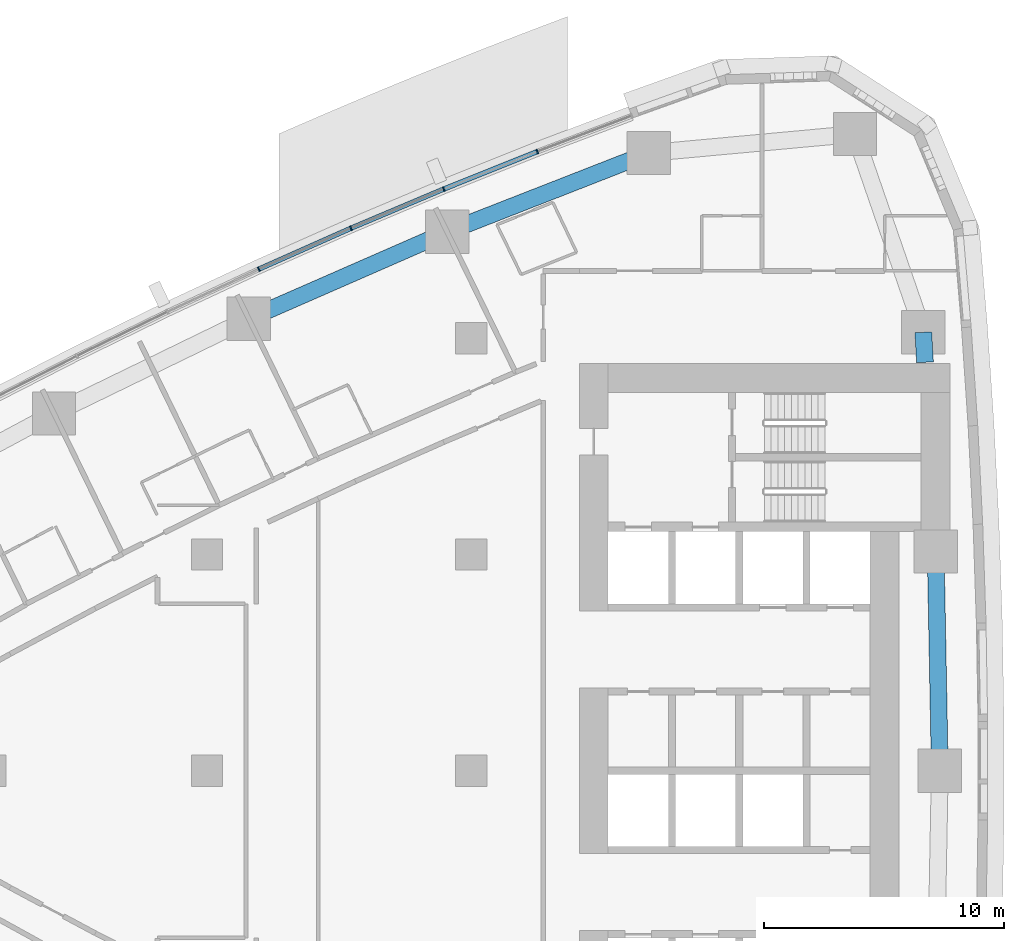
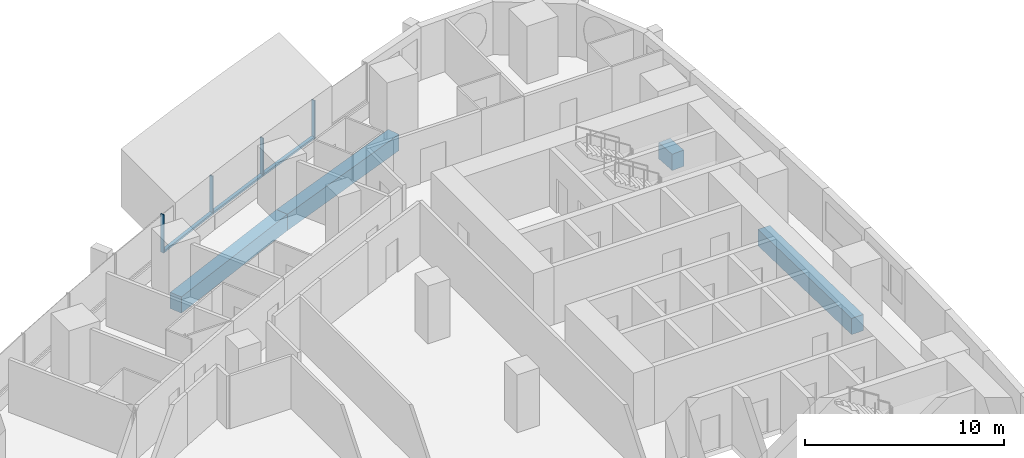
# One storey, part 6 of 19: 7 members, 4 beams, 2 elements without a shape of their own.
"""IFC4 building model written with IfcOpenShell, lengths in metres."""

import ifcopenshell
import ifcopenshell.guid

model = None  # the IFC model being written
_history = None  # IfcOwnerHistory: only IFC2X3 demands one
_inside = {}  # id of a spatial element -> (the spatial element, [elements in it])
_under = {}  # id of a project, library or spatial element -> (it, [spatial elements below it])
_declared = {}  # id of a project -> (the project, [libraries it declares])
_typed = {}  # id of a type object -> (the type object, [elements of that type])
_made_of = {}  # id of a material, layer set ... -> (it, [elements and type objects made of it])


def new_model(schema):
    """Start an empty IFC model of exactly this schema.

    Asked for "IFC4X3", IfcOpenShell would pick the latest addendum, in which some entities
    have other attributes; the version numbers below select the first issue.
    IFC2X3 requires an IfcOwnerHistory on every rooted entity: one is made here for all.
    """
    global model, _history
    if schema == "IFC4X3":
        model = ifcopenshell.file(schema_version=(4, 3, 0, 0))
    else:
        model = ifcopenshell.file(schema=schema)
    _inside.clear()
    _under.clear()
    _declared.clear()
    _typed.clear()
    _made_of.clear()
    _history = None
    if model.schema == "IFC2X3":
        org = make("IfcOrganization", Name="unknown")
        user = make(
            "IfcPersonAndOrganization",
            ThePerson=make("IfcPerson", FamilyName="unknown"),
            TheOrganization=org,
        )
        app = make(
            "IfcApplication",
            ApplicationDeveloper=org,
            Version="unknown",
            ApplicationFullName="unknown",
            ApplicationIdentifier="unknown",
        )
        _history = make(
            "IfcOwnerHistory",
            OwningUser=user,
            OwningApplication=app,
            ChangeAction="ADDED",
            CreationDate=0,
        )
    return model


def make(cls, **values):
    """One entity of the class cls with the attributes given. An attribute that is None is left unset."""
    return model.create_entity(
        cls, **{name: value for name, value in values.items() if value is not None}
    )


def rooted(cls, **values):
    """An entity with a GlobalId (a new one), such as an element, a storey or a relation."""
    return make(cls, GlobalId=ifcopenshell.guid.new(), OwnerHistory=_history, **values)


def si_unit(unit_type, name, prefix=None):
    """IfcSIUnit, for example si_unit("LENGTHUNIT", "METRE", prefix="MILLI")."""
    return make("IfcSIUnit", UnitType=unit_type, Prefix=prefix, Name=name)


def assignment(units):
    """IfcUnitAssignment: the units of a project."""
    return None if units is None else make("IfcUnitAssignment", Units=units)


def point(xyz):
    """IfcCartesianPoint."""
    return None if xyz is None else make("IfcCartesianPoint", Coordinates=xyz)


def direction(xyz):
    """IfcDirection."""
    return None if xyz is None else make("IfcDirection", DirectionRatios=xyz)


def frame(location, z_axis=None, x_axis=None):
    """IfcAxis2Placement3D, a coordinate frame: its origin and axes. An axis left out is left unset."""
    return make(
        "IfcAxis2Placement3D",
        Location=point(location),
        Axis=direction(z_axis),
        RefDirection=direction(x_axis),
    )


def frame_2d(location, x_axis=None):
    """IfcAxis2Placement2D, a coordinate frame in the plane: its origin and x axis."""
    return make(
        "IfcAxis2Placement2D", Location=point(location), RefDirection=direction(x_axis)
    )


def origin():
    """The frame at (0, 0, 0) with its axes left unset."""
    return frame((0.0, 0.0, 0.0))


def origin_2d():
    """The frame at (0, 0) in the plane with its x axis left unset."""
    return frame_2d((0.0, 0.0))


def place(relative_to, where):
    """IfcLocalPlacement: puts the frame where relative to a parent placement (None: the world)."""
    return make(
        "IfcLocalPlacement", PlacementRelTo=relative_to, RelativePlacement=where
    )


def context(
    kind, dimensions, precision=None, world=None, true_north=None, identifier=None
):
    """IfcGeometricRepresentationContext, for example the 3D "Model" context."""
    return make(
        "IfcGeometricRepresentationContext",
        ContextIdentifier=identifier,
        ContextType=kind,
        CoordinateSpaceDimension=dimensions,
        Precision=precision,
        WorldCoordinateSystem=world,
        TrueNorth=true_north,
    )


def subcontext(parent, identifier, kind, view, scale=None):
    """IfcGeometricRepresentationSubContext, for example "Body" below "Model"."""
    return make(
        "IfcGeometricRepresentationSubContext",
        ContextIdentifier=identifier,
        ContextType=kind,
        ParentContext=parent,
        TargetScale=scale,
        TargetView=view,
    )


def project(units=None, contexts=None):
    """IfcProject with its units and contexts."""
    return rooted(
        "IfcProject",
        Name="project",
        RepresentationContexts=contexts,
        UnitsInContext=assignment(units),
    )


def spatial(cls, under=None, at=None, **own):
    """A site, building, storey or space (cls), placed at a placement, below another one or the project."""
    s = rooted(cls, ObjectPlacement=at, **own)
    if under is not None:
        _under.setdefault(under.id(), (under, []))[1].append(s)
    return s


def profile(cls, at=None, kind="AREA", **sizes):
    """A parametric profile (cls). Its sizes go by their IFC names, for example OverallWidth=200.0."""
    return make(cls, ProfileType=kind, Position=at, **sizes)


def rectangle(**sizes):
    """IfcRectangleProfileDef."""
    return profile("IfcRectangleProfileDef", **sizes)


def extrude(swept, where, along, depth):
    """IfcExtrudedAreaSolid: the profile swept, set in the frame where, extruded along a direction by depth."""
    return make(
        "IfcExtrudedAreaSolid",
        SweptArea=swept,
        Position=where,
        ExtrudedDirection=direction(along),
        Depth=depth,
    )


def shape(context_of_items, identifier, shape_type, items):
    """IfcShapeRepresentation: the items that make up one representation, for example the "Body"."""
    return make(
        "IfcShapeRepresentation",
        ContextOfItems=context_of_items,
        RepresentationIdentifier=identifier,
        RepresentationType=shape_type,
        Items=items,
    )


def material(Name=None, Category=None):
    """IfcMaterial."""
    return make("IfcMaterial", Name=Name, Category=Category)


def layer(
    of_material, thickness, ventilated=None, Name=None, Category=None, Priority=None
):
    """IfcMaterialLayer: one layer of a wall or slab, of a material (None: an air gap)."""
    return make(
        "IfcMaterialLayer",
        Material=of_material,
        LayerThickness=thickness,
        IsVentilated=ventilated,
        Name=Name,
        Category=Category,
        Priority=Priority,
    )


def layer_set(layers, Name=None):
    """IfcMaterialLayerSet."""
    return make("IfcMaterialLayerSet", MaterialLayers=layers, LayerSetName=Name)


def material_profile(
    of_material, cross_section, Name=None, Category=None, Priority=None
):
    """IfcMaterialProfile: a cross section and its material."""
    return make(
        "IfcMaterialProfile",
        Name=Name,
        Material=of_material,
        Profile=cross_section,
        Priority=Priority,
        Category=Category,
    )


def profile_set(profiles, Name=None, composite=None):
    """IfcMaterialProfileSet."""
    return make(
        "IfcMaterialProfileSet",
        Name=Name,
        MaterialProfiles=profiles,
        CompositeProfile=composite,
    )


def made_of(thing, what):
    """Note that an element or type object is made of a material, layer set ...; save() writes the relation."""
    if what is not None:
        _made_of.setdefault(what.id(), (what, []))[1].append(thing)
    return thing


def type_object(cls, material=None, **own):
    """A type object (cls), such as IfcWallType, which elements share."""
    return made_of(rooted(cls, **own), material)


def element(
    cls,
    number,
    at=None,
    inside=None,
    cuts=None,
    type_object=None,
    material=None,
    context=None,
    identifier="Body",
    shape_type=None,
    held_by="IfcProductDefinitionShape",
    body=None,
    shapes=None,
    **own,
):
    """One element of the class cls, such as IfcWall. Its Tag is "e" and its number.

    at: its placement. inside: the storey or other place that contains it. cuts: it is an
    opening in that element (IfcRelVoidsElement). A single representation is given by context,
    identifier, shape_type and body (its items); several are given by shapes. held_by: the class
    of the entity that holds the representations. save() writes the other relations.
    """
    e = rooted(cls, Tag="e%d" % number, ObjectPlacement=at, **own)
    if body is not None:
        shapes = [shape(context, identifier, shape_type, body)]
    if shapes is not None:
        e.Representation = make(held_by, Representations=shapes)
    if inside is not None:
        _inside.setdefault(inside.id(), (inside, []))[1].append(e)
    if cuts is not None:
        rooted(
            "IfcRelVoidsElement", RelatingBuildingElement=cuts, RelatedOpeningElement=e
        )
    if type_object is not None:
        _typed.setdefault(type_object.id(), (type_object, []))[1].append(e)
    return made_of(e, material)


def aggregate(whole, parts):
    """IfcRelAggregates: a whole, such as a stair, and the parts it consists of."""
    return rooted("IfcRelAggregates", RelatingObject=whole, RelatedObjects=parts)


def save(model, path):
    """Write the relations noted so far, then the file.

    IfcRelAggregates (storeys below a building ...), IfcRelContainedInSpatialStructure (elements
    in a storey), IfcRelDefinesByType, IfcRelAssociatesMaterial and IfcRelDeclares: one each for
    every whole, place, type object, material and project.
    """
    for whole, parts in _under.values():
        aggregate(whole, parts)
    for where, things in _inside.values():
        rooted(
            "IfcRelContainedInSpatialStructure",
            RelatedElements=things,
            RelatingStructure=where,
        )
    for kind, things in _typed.values():
        rooted("IfcRelDefinesByType", RelatedObjects=things, RelatingType=kind)
    for what, things in _made_of.values():
        rooted("IfcRelAssociatesMaterial", RelatedObjects=things, RelatingMaterial=what)
    for by, libraries in _declared.values():
        rooted("IfcRelDeclares", RelatingContext=by, RelatedDefinitions=libraries)
    model.write(path)


model = new_model("IFC4")

# Units and contexts
model_context = context("Model", 3, precision=1e-05, world=origin(), true_north=direction((0.0, 1.0)))
body_context = subcontext(model_context, "Body", "Model", "MODEL_VIEW")
ifc_project = project(units=[si_unit("LENGTHUNIT", "METRE"), si_unit("AREAUNIT", "SQUARE_METRE"), si_unit("VOLUMEUNIT", "CUBIC_METRE"), si_unit("PLANEANGLEUNIT", "RADIAN"), si_unit("MASSUNIT", "GRAM", prefix="KILO")], contexts=[model_context])

# Site, building, storey
site_placement = place(None, origin())
site = spatial("IfcSite", under=ifc_project, at=site_placement, CompositionType="ELEMENT")
building_placement = place(site_placement, origin())
building = spatial("IfcBuilding", under=site, at=building_placement, Name="Ostrand Prow Hotel Tower", CompositionType="ELEMENT")
storey_placement = place(building_placement, frame((0.0, 0.0, 39.60009765625)))
storey = spatial("IfcBuildingStorey", under=building, at=storey_placement, Name="L07", CompositionType="ELEMENT", Elevation=39.60009765625)

# Beams
ifc_material_1 = material(Name="Concrete C80/95", Category="concrete")
ifc_material_profile_1 = material_profile(ifc_material_1, rectangle(XDim=0.699951171875, YDim=1.0, at=origin_2d()), Name="RC 700x1000")
ifc_profile_set_1 = profile_set([ifc_material_profile_1], Name="Concrete C80/95")
beam_type = type_object("IfcBeamType", Name="Edge beam 700x1000 C80/95", PredefinedType="SPANDREL", material=ifc_profile_set_1)
beam_1_placement = place(storey_placement, frame((64.5, 0.0, -0.800048828125), z_axis=(-0.018793471688, 0.999823387115, 0.0), x_axis=(-0.999823387115, -0.018793471688, 0.0)))
element("IfcBeam", 1, at=beam_1_placement, inside=storey, type_object=beam_type, Name="Edge beam B3-B4", PredefinedType="SPANDREL", context=body_context, shape_type="SweptSolid", body=[
    extrude(rectangle(XDim=0.699951171875, YDim=1.0, at=origin_2d()), origin(), (0.0, 0.0, 1.0), 9.132568359375),
])
beam_2_placement = place(storey_placement, frame((63.8837890625, 17.0, -0.800048828125), z_axis=(-0.056215946509, 0.998418633319, 0.0), x_axis=(-0.998418633319, -0.056215946509, 0.0)))
element("IfcBeam", 2, at=beam_2_placement, inside=storey, type_object=beam_type, Name="Edge beam B4-B5", PredefinedType="SPANDREL", context=body_context, shape_type="SweptSolid", body=[
    extrude(rectangle(XDim=0.699951171875, YDim=1.0, at=origin_2d()), origin(), (0.0, 0.0, 1.0), 1.250732421875),
])
for number, where, z_axis, x_axis, name in (
    (3, (52.3916015625, 25.710205078125, -0.800048828125), (-0.931329480916, -0.364177701098, 0.0), (0.364177701098, -0.931329480916, 0.0), "Edge beam N1-N2"),
    (4, (43.997802734375, 22.427978515625, -0.800048828125), (-0.916095776162, -0.400959510297, 0.0), (0.400959510297, -0.916095776162, 0.0), "Edge beam N2-N3"),
):
    element("IfcBeam", number, at=place(storey_placement, frame(where, z_axis=z_axis, x_axis=x_axis)), inside=storey, type_object=beam_type, Name=name, PredefinedType="SPANDREL", context=body_context, shape_type="SweptSolid", body=[
        extrude(rectangle(XDim=0.699951171875, YDim=1.0, at=origin_2d()), origin(), (0.0, 0.0, 1.0), 9.0126953125),
    ])

# Curtain wall, members
ifc_material_2 = material(Name="Insulated glass in bronze anodised frame", Category="glass")
ifc_layer = layer(ifc_material_2, 0.199951171875)
ifc_layer_set = layer_set([ifc_layer], Name="Insulated glass in bronze anodised frame")
curtain_wall_type = type_object("IfcCurtainWallType", Name="Strip curtain wall, fritted glass over bronze spandrel", PredefinedType="NOTDEFINED", material=ifc_layer_set)
curtain_wall_1_placement = place(storey_placement, origin())
curtain_wall_1 = element("IfcCurtainWall", 5, at=curtain_wall_1_placement, inside=storey, type_object=curtain_wall_type, Name="CW1 run CWN1", PredefinedType="NOTDEFINED")
ifc_material_3 = material(Name="Bronze anodised aluminium", Category="aluminium")
ifc_material_profile_2 = material_profile(ifc_material_3, rectangle(XDim=0.199951171875, YDim=0.06005859375, at=origin_2d()), Name="Mullion 60x200 bronze anodised aluminium")
ifc_profile_set_2 = profile_set([ifc_material_profile_2], Name="Bronze anodised aluminium")
member_type_1 = type_object("IfcMemberType", Name="Mullion 60x200 bronze anodised aluminium", PredefinedType="MULLION", material=ifc_profile_set_2)
member_1_placement = place(storey_placement, frame((47.7529296875, 25.769775390625, 0.89990234375), z_axis=(0.0, 0.0, 1.0), x_axis=(0.371873380669, -0.928283463577, 0.0)))
member_1 = element("IfcMember", 6, at=member_1_placement, type_object=member_type_1, Name="CW1 mullion 2", PredefinedType="MULLION", context=body_context, shape_type="SweptSolid", body=[
    extrude(rectangle(XDim=0.199951171875, YDim=0.06005859375, at=origin_2d()), origin(), (0.0, 0.0, 1.0), 2.35009765625),
])
member_2_placement = place(storey_placement, frame((43.859619140625, 24.210205078125, 0.89990234375), z_axis=(0.0, 0.0, 1.0), x_axis=(0.371873380669, -0.928283463577, 0.0)))
member_2 = element("IfcMember", 7, at=member_2_placement, type_object=member_type_1, Name="CW1 mullion 3", PredefinedType="MULLION", context=body_context, shape_type="SweptSolid", body=[
    extrude(rectangle(XDim=0.199951171875, YDim=0.06005859375, at=origin_2d()), origin(), (0.0, 0.0, 1.0), 2.35009765625),
])

curtain_wall_2_placement = place(storey_placement, origin())
curtain_wall_2 = element("IfcCurtainWall", 8, at=curtain_wall_2_placement, inside=storey, type_object=curtain_wall_type, Name="CW1 run CWN2", PredefinedType="NOTDEFINED")
member_3_placement = place(storey_placement, frame((39.99560546875, 22.5791015625, 0.89990234375), z_axis=(0.0, 0.0, 1.0), x_axis=(0.405779757666, -0.913970890274, 0.0)))
member_3 = element("IfcMember", 9, at=member_3_placement, type_object=member_type_1, Name="CW1 mullion 2", PredefinedType="MULLION", context=body_context, shape_type="SweptSolid", body=[
    extrude(rectangle(XDim=0.199951171875, YDim=0.06005859375, at=origin_2d()), origin(), (0.0, 0.0, 1.0), 2.35009765625),
])
member_4_placement = place(storey_placement, frame((36.162109375, 20.876953125, 0.89990234375), z_axis=(0.0, 0.0, 1.0), x_axis=(0.405779757666, -0.913970890274, 0.0)))
member_4 = element("IfcMember", 10, at=member_4_placement, type_object=member_type_1, Name="CW1 mullion 3", PredefinedType="MULLION", context=body_context, shape_type="SweptSolid", body=[
    extrude(rectangle(XDim=0.199951171875, YDim=0.06005859375, at=origin_2d()), origin(), (0.0, 0.0, 1.0), 2.35009765625),
])

# Member
ifc_material_4 = material(Name="Bronze anodised aluminium", Category="aluminium")
ifc_material_profile_3 = material_profile(ifc_material_4, rectangle(XDim=0.199951171875, YDim=0.1201171875, at=origin_2d()), Name="Transom 120x200 bronze anodised aluminium")
ifc_profile_set_3 = profile_set([ifc_material_profile_3], Name="Bronze anodised aluminium")
member_type_2 = type_object("IfcMemberType", Name="Transom 120x200 bronze anodised aluminium", PredefinedType="USERDEFINED", material=ifc_profile_set_3)
member_5_placement = place(storey_placement, frame((47.72509765625, 25.7587890625, 0.9599609375), z_axis=(-0.928264761225, -0.371920062739, 0.0), x_axis=(0.371920062739, -0.928264761225, 0.0)))
member_5 = element("IfcMember", 11, at=member_5_placement, type_object=member_type_2, Name="CW1 transom 2.1", ObjectType="TRANSOM", PredefinedType="USERDEFINED", context=body_context, shape_type="SweptSolid", body=[
    extrude(rectangle(XDim=0.199951171875, YDim=0.1201171875, at=origin_2d()), origin(), (0.0, 0.0, 1.0), 4.13427734375),
])

aggregate(curtain_wall_1, [member_1, member_2, member_5])

member_6_placement = place(storey_placement, frame((43.831787109375, 24.198486328125, 0.9599609375), z_axis=(-0.921284828297, -0.388888499637, 0.0), x_axis=(0.388888499637, -0.921284828297, 0.0)))
member_6 = element("IfcMember", 12, at=member_6_placement, type_object=member_type_2, Name="CW1 transom 1.1", ObjectType="TRANSOM", PredefinedType="USERDEFINED", context=body_context, shape_type="SweptSolid", body=[
    extrude(rectangle(XDim=0.199951171875, YDim=0.1201171875, at=origin_2d()), origin(), (0.0, 0.0, 1.0), 4.134033203125),
])

member_7_placement = place(storey_placement, frame((39.968017578125, 22.56689453125, 0.9599609375), z_axis=(-0.913957599094, -0.405809693156, 0.0), x_axis=(0.405809693156, -0.913957599094, 0.0)))
member_7 = element("IfcMember", 13, at=member_7_placement, type_object=member_type_2, Name="CW1 transom 2.1", ObjectType="TRANSOM", PredefinedType="USERDEFINED", context=body_context, shape_type="SweptSolid", body=[
    extrude(rectangle(XDim=0.199951171875, YDim=0.1201171875, at=origin_2d()), origin(), (0.0, 0.0, 1.0), 4.13427734375),
])

aggregate(curtain_wall_2, [member_3, member_4, member_6, member_7])

save(model, "model.ifc")
